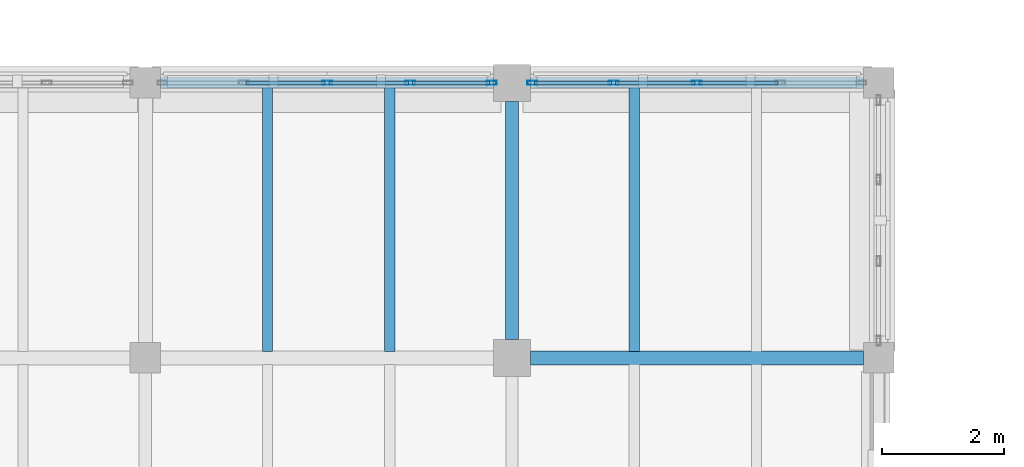
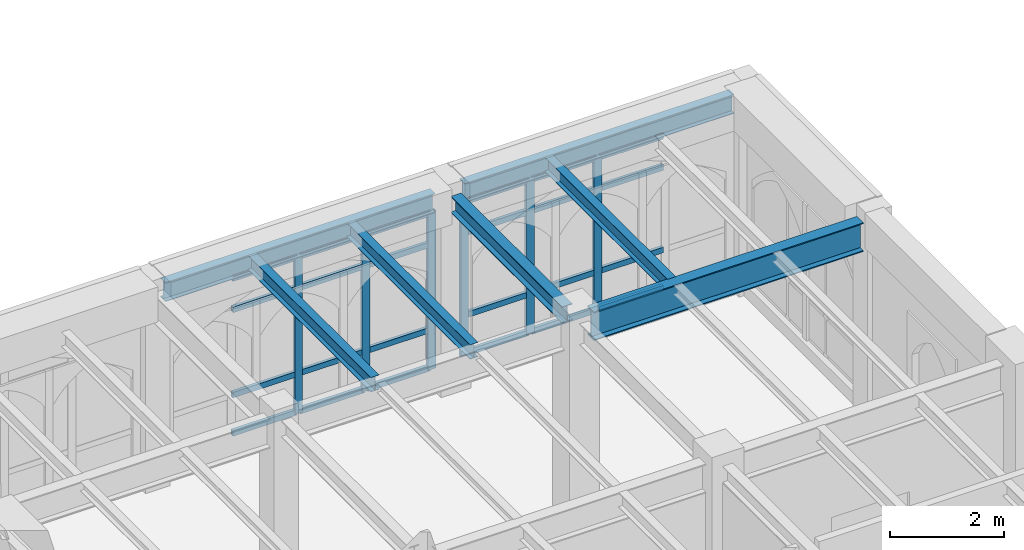
# One storey, part 34 of 143: 30 members, 7 beams, 2 elements without a shape of their own.
"""IFC4 building model written with IfcOpenShell, lengths in metres."""

from ifc_helpers import new_model, si_unit, direction, frame, origin, origin_2d, place, context, subcontext, project, spatial, hollow_rectangle, i_section, extrude, material, layer, layer_set, material_profile, profile_set, type_object, element, aggregate, save


model = new_model("IFC4")

# Units and contexts
model_context = context("Model", 3, precision=1e-05, world=origin(), true_north=direction((0.0, 1.0)))
body_context = subcontext(model_context, "Body", "Model", "MODEL_VIEW")
ifc_project = project(units=[si_unit("LENGTHUNIT", "METRE"), si_unit("AREAUNIT", "SQUARE_METRE"), si_unit("VOLUMEUNIT", "CUBIC_METRE"), si_unit("PLANEANGLEUNIT", "RADIAN"), si_unit("MASSUNIT", "GRAM", prefix="KILO")], contexts=[model_context])

# Site, building, storey
site_placement = place(None, origin())
site = spatial("IfcSite", under=ifc_project, at=site_placement, CompositionType="ELEMENT")
building_placement = place(site_placement, origin())
building = spatial("IfcBuilding", under=site, at=building_placement, Name="Cumevento Cable Car Station", CompositionType="ELEMENT")
storey_placement = place(building_placement, frame((0.0, 0.0, 9.0)))
storey = spatial("IfcBuildingStorey", under=building, at=storey_placement, Name="L03", CompositionType="ELEMENT", Elevation=9.0)

# Curtain wall, members
ifc_material_1 = material(Name="Anodised Bronze Aluminium AW-6063-T6", Category="aluminium")
ifc_layer_1 = layer(ifc_material_1, 0.196044921875)
ifc_layer_set_1 = layer_set([ifc_layer_1], Name="Anodised Bronze Aluminium AW-6063-T6")
curtain_wall_type_1 = type_object("IfcCurtainWallType", Name="Lancet Curtain Wall CW-07 1290", PredefinedType="NOTDEFINED", material=ifc_layer_set_1)
curtain_wall_1_placement = place(storey_placement, origin())
curtain_wall_1 = element("IfcCurtainWall", 1, at=curtain_wall_1_placement, inside=storey, type_object=curtain_wall_type_1, Name="Lancet Curtain Wall CW-07 L03 #118", PredefinedType="NOTDEFINED")
ifc_material_2 = material(Name="Anodised Bronze Aluminium AW-6063-T6", Category="aluminium")
ifc_material_profile_1 = material_profile(ifc_material_2, hollow_rectangle(XDim=0.06494140625, YDim=0.159912109375, WallThickness=0.00390625, at=origin_2d()), Name="ALUM65x160x4")
ifc_profile_set_1 = profile_set([ifc_material_profile_1], Name="Anodised Bronze Aluminium AW-6063-T6")
member_type_1 = type_object("IfcMemberType", Name="Curtain Mullion CWM-01 ALUM65x160x4", PredefinedType="MULLION", material=ifc_profile_set_1)
member_1_placement = place(storey_placement, frame((60.97509765625, 66.0, 0.4599609375), z_axis=(0.0, 0.0, 1.0), x_axis=(0.0, 1.0, 0.0)))
member_1 = element("IfcMember", 2, at=member_1_placement, type_object=member_type_1, Name="CW-07 mullion 3", PredefinedType="MULLION", context=body_context, shape_type="SweptSolid", body=[
    extrude(hollow_rectangle(XDim=0.06494140625, YDim=0.159912109375, WallThickness=0.00390625, at=origin_2d()), origin(), (0.0, 0.0, 1.0), 3.373046875),
])
member_2_placement = place(storey_placement, frame((62.33740234375, 66.0, 0.4599609375), z_axis=(0.0, 0.0, 1.0), x_axis=(0.0, 1.0, 0.0)))
member_2 = element("IfcMember", 3, at=member_2_placement, type_object=member_type_1, Name="CW-07 mullion 4", PredefinedType="MULLION", context=body_context, shape_type="SweptSolid", body=[
    extrude(hollow_rectangle(XDim=0.06494140625, YDim=0.159912109375, WallThickness=0.00390625, at=origin_2d()), origin(), (0.0, 0.0, 1.0), 3.373046875),
])
member_3_placement = place(storey_placement, frame((63.66748046875, 66.0, 0.4599609375), z_axis=(0.0, 0.0, 1.0), x_axis=(0.0, 1.0, 0.0)))
member_3 = element("IfcMember", 4, at=member_3_placement, type_object=member_type_1, Name="CW-07 mullion 5", PredefinedType="MULLION", context=body_context, shape_type="SweptSolid", body=[
    extrude(hollow_rectangle(XDim=0.06494140625, YDim=0.159912109375, WallThickness=0.00390625, at=origin_2d()), origin(), (0.0, 0.0, 1.0), 3.373046875),
])

ifc_material_3 = material(Name="Anodised Bronze Aluminium AW-6063-T6", Category="aluminium")
ifc_layer_2 = layer(ifc_material_3, 0.201904296875)
ifc_layer_set_2 = layer_set([ifc_layer_2], Name="Anodised Bronze Aluminium AW-6063-T6")
curtain_wall_type_2 = type_object("IfcCurtainWallType", Name="Lancet Curtain Wall CW-08 1330", PredefinedType="NOTDEFINED", material=ifc_layer_set_2)
curtain_wall_2_placement = place(storey_placement, origin())
curtain_wall_2 = element("IfcCurtainWall", 5, at=curtain_wall_2_placement, inside=storey, type_object=curtain_wall_type_2, Name="Lancet Curtain Wall CW-08 L03 #119", PredefinedType="NOTDEFINED")
member_4_placement = place(storey_placement, frame((64.33251953125, 66.0, 0.52001953125), z_axis=(0.0, 0.0, 1.0), x_axis=(0.0, 1.0, 0.0)))
member_4 = element("IfcMember", 6, at=member_4_placement, type_object=member_type_1, Name="CW-08 mullion 1", PredefinedType="MULLION", context=body_context, shape_type="SweptSolid", body=[
    extrude(hollow_rectangle(XDim=0.06494140625, YDim=0.159912109375, WallThickness=0.00390625, at=origin_2d()), origin(), (0.0, 0.0, 1.0), 3.31298828125),
])
member_5_placement = place(storey_placement, frame((65.66259765625, 66.0, 0.52001953125), z_axis=(0.0, 0.0, 1.0), x_axis=(0.0, 1.0, 0.0)))
member_5 = element("IfcMember", 7, at=member_5_placement, type_object=member_type_1, Name="CW-08 mullion 2", PredefinedType="MULLION", context=body_context, shape_type="SweptSolid", body=[
    extrude(hollow_rectangle(XDim=0.06494140625, YDim=0.159912109375, WallThickness=0.00390625, at=origin_2d()), origin(), (0.0, 0.0, 1.0), 3.31298828125),
])
member_6_placement = place(storey_placement, frame((67.02490234375, 66.0, 0.52001953125), z_axis=(0.0, 0.0, 1.0), x_axis=(0.0, 1.0, 0.0)))
member_6 = element("IfcMember", 8, at=member_6_placement, type_object=member_type_1, Name="CW-08 mullion 3", PredefinedType="MULLION", context=body_context, shape_type="SweptSolid", body=[
    extrude(hollow_rectangle(XDim=0.06494140625, YDim=0.159912109375, WallThickness=0.00390625, at=origin_2d()), origin(), (0.0, 0.0, 1.0), 3.31298828125),
])

# Member
ifc_material_4 = material(Name="Anodised Bronze Aluminium AW-6063-T6", Category="aluminium")
ifc_material_profile_2 = material_profile(ifc_material_4, hollow_rectangle(XDim=0.06494140625, YDim=0.1201171875, WallThickness=0.00390625, at=origin_2d()), Name="ALUT65x120x4")
ifc_profile_set_2 = profile_set([ifc_material_profile_2], Name="Anodised Bronze Aluminium AW-6063-T6")
member_type_2 = type_object("IfcMemberType", Name="Curtain Transom CWT-01 ALUT65x120x4", PredefinedType="USERDEFINED", material=ifc_profile_set_2)
member_7_placement = place(storey_placement, frame((59.64501953125, 66.0, 0.492431640625), z_axis=(1.0, 0.0, 0.0), x_axis=(0.0, 1.0, 0.0)))
member_7 = element("IfcMember", 9, at=member_7_placement, type_object=member_type_2, Name="CW-07 transom 2.1", ObjectType="TRANSOM", PredefinedType="USERDEFINED", context=body_context, shape_type="SweptSolid", body=[
    extrude(hollow_rectangle(XDim=0.06494140625, YDim=0.1201171875, WallThickness=0.00390625, at=origin_2d()), origin(), (0.0, 0.0, 1.0), 1.29736328125),
])

member_8_placement = place(storey_placement, frame((59.64501953125, 66.0, 1.31005859375), z_axis=(1.0, 0.0, 0.0), x_axis=(0.0, 1.0, 0.0)))
member_8 = element("IfcMember", 10, at=member_8_placement, type_object=member_type_2, Name="CW-07 transom 2.2", ObjectType="TRANSOM", PredefinedType="USERDEFINED", context=body_context, shape_type="SweptSolid", body=[
    extrude(hollow_rectangle(XDim=0.06494140625, YDim=0.1201171875, WallThickness=0.00390625, at=origin_2d()), origin(), (0.0, 0.0, 1.0), 1.29736328125),
])

member_9_placement = place(storey_placement, frame((59.64501953125, 66.0, 3.133056640625), z_axis=(1.0, 0.0, 0.0), x_axis=(0.0, 1.0, 0.0)))
member_9 = element("IfcMember", 11, at=member_9_placement, type_object=member_type_2, Name="CW-07 transom 2.3", ObjectType="TRANSOM", PredefinedType="USERDEFINED", context=body_context, shape_type="SweptSolid", body=[
    extrude(hollow_rectangle(XDim=0.06494140625, YDim=0.1201171875, WallThickness=0.00390625, at=origin_2d()), origin(), (0.0, 0.0, 1.0), 1.29736328125),
])

member_10_placement = place(storey_placement, frame((59.64501953125, 66.0, 3.800537109375), z_axis=(1.0, 0.0, 0.0), x_axis=(0.0, 1.0, 0.0)))
member_10 = element("IfcMember", 12, at=member_10_placement, type_object=member_type_2, Name="CW-07 transom 2.4", ObjectType="TRANSOM", PredefinedType="USERDEFINED", context=body_context, shape_type="SweptSolid", body=[
    extrude(hollow_rectangle(XDim=0.06494140625, YDim=0.1201171875, WallThickness=0.00390625, at=origin_2d()), origin(), (0.0, 0.0, 1.0), 1.29736328125),
])

member_11_placement = place(storey_placement, frame((61.007568359375, 66.0, 0.492431640625), z_axis=(1.0, 0.0, 0.0), x_axis=(0.0, 1.0, 0.0)))
member_11 = element("IfcMember", 13, at=member_11_placement, type_object=member_type_2, Name="CW-07 transom 3.1", ObjectType="TRANSOM", PredefinedType="USERDEFINED", context=body_context, shape_type="SweptSolid", body=[
    extrude(hollow_rectangle(XDim=0.06494140625, YDim=0.1201171875, WallThickness=0.00390625, at=origin_2d()), origin(), (0.0, 0.0, 1.0), 1.29736328125),
])

member_12_placement = place(storey_placement, frame((61.007568359375, 66.0, 1.31005859375), z_axis=(1.0, 0.0, 0.0), x_axis=(0.0, 1.0, 0.0)))
member_12 = element("IfcMember", 14, at=member_12_placement, type_object=member_type_2, Name="CW-07 transom 3.2", ObjectType="TRANSOM", PredefinedType="USERDEFINED", context=body_context, shape_type="SweptSolid", body=[
    extrude(hollow_rectangle(XDim=0.06494140625, YDim=0.1201171875, WallThickness=0.00390625, at=origin_2d()), origin(), (0.0, 0.0, 1.0), 1.29736328125),
])

member_13_placement = place(storey_placement, frame((61.007568359375, 66.0, 3.133056640625), z_axis=(1.0, 0.0, 0.0), x_axis=(0.0, 1.0, 0.0)))
member_13 = element("IfcMember", 15, at=member_13_placement, type_object=member_type_2, Name="CW-07 transom 3.3", ObjectType="TRANSOM", PredefinedType="USERDEFINED", context=body_context, shape_type="SweptSolid", body=[
    extrude(hollow_rectangle(XDim=0.06494140625, YDim=0.1201171875, WallThickness=0.00390625, at=origin_2d()), origin(), (0.0, 0.0, 1.0), 1.29736328125),
])

member_14_placement = place(storey_placement, frame((61.007568359375, 66.0, 3.800537109375), z_axis=(1.0, 0.0, 0.0), x_axis=(0.0, 1.0, 0.0)))
member_14 = element("IfcMember", 16, at=member_14_placement, type_object=member_type_2, Name="CW-07 transom 3.4", ObjectType="TRANSOM", PredefinedType="USERDEFINED", context=body_context, shape_type="SweptSolid", body=[
    extrude(hollow_rectangle(XDim=0.06494140625, YDim=0.1201171875, WallThickness=0.00390625, at=origin_2d()), origin(), (0.0, 0.0, 1.0), 1.29736328125),
])

member_15_placement = place(storey_placement, frame((62.3701171875, 66.0, 0.492431640625), z_axis=(1.0, 0.0, 0.0), x_axis=(0.0, 1.0, 0.0)))
member_15 = element("IfcMember", 17, at=member_15_placement, type_object=member_type_2, Name="CW-07 transom 4.1", ObjectType="TRANSOM", PredefinedType="USERDEFINED", context=body_context, shape_type="SweptSolid", body=[
    extrude(hollow_rectangle(XDim=0.06494140625, YDim=0.1201171875, WallThickness=0.00390625, at=origin_2d()), origin(), (0.0, 0.0, 1.0), 1.264892578125),
])

member_16_placement = place(storey_placement, frame((62.3701171875, 66.0, 1.31005859375), z_axis=(1.0, 0.0, 0.0), x_axis=(0.0, 1.0, 0.0)))
member_16 = element("IfcMember", 18, at=member_16_placement, type_object=member_type_2, Name="CW-07 transom 4.2", ObjectType="TRANSOM", PredefinedType="USERDEFINED", context=body_context, shape_type="SweptSolid", body=[
    extrude(hollow_rectangle(XDim=0.06494140625, YDim=0.1201171875, WallThickness=0.00390625, at=origin_2d()), origin(), (0.0, 0.0, 1.0), 1.264892578125),
])

member_17_placement = place(storey_placement, frame((62.3701171875, 66.0, 3.133056640625), z_axis=(1.0, 0.0, 0.0), x_axis=(0.0, 1.0, 0.0)))
member_17 = element("IfcMember", 19, at=member_17_placement, type_object=member_type_2, Name="CW-07 transom 4.3", ObjectType="TRANSOM", PredefinedType="USERDEFINED", context=body_context, shape_type="SweptSolid", body=[
    extrude(hollow_rectangle(XDim=0.06494140625, YDim=0.1201171875, WallThickness=0.00390625, at=origin_2d()), origin(), (0.0, 0.0, 1.0), 1.264892578125),
])

member_18_placement = place(storey_placement, frame((62.3701171875, 66.0, 3.800537109375), z_axis=(1.0, 0.0, 0.0), x_axis=(0.0, 1.0, 0.0)))
member_18 = element("IfcMember", 20, at=member_18_placement, type_object=member_type_2, Name="CW-07 transom 4.4", ObjectType="TRANSOM", PredefinedType="USERDEFINED", context=body_context, shape_type="SweptSolid", body=[
    extrude(hollow_rectangle(XDim=0.06494140625, YDim=0.1201171875, WallThickness=0.00390625, at=origin_2d()), origin(), (0.0, 0.0, 1.0), 1.264892578125),
])

aggregate(curtain_wall_1, [member_1, member_2, member_3, member_7, member_8, member_9, member_10, member_11, member_12, member_13, member_14, member_15, member_16, member_17, member_18])

member_19_placement = place(storey_placement, frame((64.364990234375, 66.0, 0.552490234375), z_axis=(1.0, 0.0, 0.0), x_axis=(0.0, 1.0, 0.0)))
member_19 = element("IfcMember", 21, at=member_19_placement, type_object=member_type_2, Name="CW-08 transom 1.1", ObjectType="TRANSOM", PredefinedType="USERDEFINED", context=body_context, shape_type="SweptSolid", body=[
    extrude(hollow_rectangle(XDim=0.06494140625, YDim=0.1201171875, WallThickness=0.00390625, at=origin_2d()), origin(), (0.0, 0.0, 1.0), 1.264892578125),
])

member_20_placement = place(storey_placement, frame((64.364990234375, 66.0, 1.3701171875), z_axis=(1.0, 0.0, 0.0), x_axis=(0.0, 1.0, 0.0)))
member_20 = element("IfcMember", 22, at=member_20_placement, type_object=member_type_2, Name="CW-08 transom 1.2", ObjectType="TRANSOM", PredefinedType="USERDEFINED", context=body_context, shape_type="SweptSolid", body=[
    extrude(hollow_rectangle(XDim=0.06494140625, YDim=0.1201171875, WallThickness=0.00390625, at=origin_2d()), origin(), (0.0, 0.0, 1.0), 1.264892578125),
])

member_21_placement = place(storey_placement, frame((64.364990234375, 66.0, 3.133056640625), z_axis=(1.0, 0.0, 0.0), x_axis=(0.0, 1.0, 0.0)))
member_21 = element("IfcMember", 23, at=member_21_placement, type_object=member_type_2, Name="CW-08 transom 1.3", ObjectType="TRANSOM", PredefinedType="USERDEFINED", context=body_context, shape_type="SweptSolid", body=[
    extrude(hollow_rectangle(XDim=0.06494140625, YDim=0.1201171875, WallThickness=0.00390625, at=origin_2d()), origin(), (0.0, 0.0, 1.0), 1.264892578125),
])

member_22_placement = place(storey_placement, frame((64.364990234375, 66.0, 3.800537109375), z_axis=(1.0, 0.0, 0.0), x_axis=(0.0, 1.0, 0.0)))
member_22 = element("IfcMember", 24, at=member_22_placement, type_object=member_type_2, Name="CW-08 transom 1.4", ObjectType="TRANSOM", PredefinedType="USERDEFINED", context=body_context, shape_type="SweptSolid", body=[
    extrude(hollow_rectangle(XDim=0.06494140625, YDim=0.1201171875, WallThickness=0.00390625, at=origin_2d()), origin(), (0.0, 0.0, 1.0), 1.264892578125),
])

member_23_placement = place(storey_placement, frame((65.695068359375, 66.0, 0.552490234375), z_axis=(1.0, 0.0, 0.0), x_axis=(0.0, 1.0, 0.0)))
member_23 = element("IfcMember", 25, at=member_23_placement, type_object=member_type_2, Name="CW-08 transom 2.1", ObjectType="TRANSOM", PredefinedType="USERDEFINED", context=body_context, shape_type="SweptSolid", body=[
    extrude(hollow_rectangle(XDim=0.06494140625, YDim=0.1201171875, WallThickness=0.00390625, at=origin_2d()), origin(), (0.0, 0.0, 1.0), 1.29736328125),
])

member_24_placement = place(storey_placement, frame((65.695068359375, 66.0, 1.3701171875), z_axis=(1.0, 0.0, 0.0), x_axis=(0.0, 1.0, 0.0)))
member_24 = element("IfcMember", 26, at=member_24_placement, type_object=member_type_2, Name="CW-08 transom 2.2", ObjectType="TRANSOM", PredefinedType="USERDEFINED", context=body_context, shape_type="SweptSolid", body=[
    extrude(hollow_rectangle(XDim=0.06494140625, YDim=0.1201171875, WallThickness=0.00390625, at=origin_2d()), origin(), (0.0, 0.0, 1.0), 1.29736328125),
])

member_25_placement = place(storey_placement, frame((65.695068359375, 66.0, 3.133056640625), z_axis=(1.0, 0.0, 0.0), x_axis=(0.0, 1.0, 0.0)))
member_25 = element("IfcMember", 27, at=member_25_placement, type_object=member_type_2, Name="CW-08 transom 2.3", ObjectType="TRANSOM", PredefinedType="USERDEFINED", context=body_context, shape_type="SweptSolid", body=[
    extrude(hollow_rectangle(XDim=0.06494140625, YDim=0.1201171875, WallThickness=0.00390625, at=origin_2d()), origin(), (0.0, 0.0, 1.0), 1.29736328125),
])

member_26_placement = place(storey_placement, frame((65.695068359375, 66.0, 3.800537109375), z_axis=(1.0, 0.0, 0.0), x_axis=(0.0, 1.0, 0.0)))
member_26 = element("IfcMember", 28, at=member_26_placement, type_object=member_type_2, Name="CW-08 transom 2.4", ObjectType="TRANSOM", PredefinedType="USERDEFINED", context=body_context, shape_type="SweptSolid", body=[
    extrude(hollow_rectangle(XDim=0.06494140625, YDim=0.1201171875, WallThickness=0.00390625, at=origin_2d()), origin(), (0.0, 0.0, 1.0), 1.29736328125),
])

member_27_placement = place(storey_placement, frame((67.0576171875, 66.0, 0.552490234375), z_axis=(1.0, 0.0, 0.0), x_axis=(0.0, 1.0, 0.0)))
member_27 = element("IfcMember", 29, at=member_27_placement, type_object=member_type_2, Name="CW-08 transom 3.1", ObjectType="TRANSOM", PredefinedType="USERDEFINED", context=body_context, shape_type="SweptSolid", body=[
    extrude(hollow_rectangle(XDim=0.06494140625, YDim=0.1201171875, WallThickness=0.00390625, at=origin_2d()), origin(), (0.0, 0.0, 1.0), 1.29736328125),
])

member_28_placement = place(storey_placement, frame((67.0576171875, 66.0, 1.3701171875), z_axis=(1.0, 0.0, 0.0), x_axis=(0.0, 1.0, 0.0)))
member_28 = element("IfcMember", 30, at=member_28_placement, type_object=member_type_2, Name="CW-08 transom 3.2", ObjectType="TRANSOM", PredefinedType="USERDEFINED", context=body_context, shape_type="SweptSolid", body=[
    extrude(hollow_rectangle(XDim=0.06494140625, YDim=0.1201171875, WallThickness=0.00390625, at=origin_2d()), origin(), (0.0, 0.0, 1.0), 1.29736328125),
])

member_29_placement = place(storey_placement, frame((67.0576171875, 66.0, 3.133056640625), z_axis=(1.0, 0.0, 0.0), x_axis=(0.0, 1.0, 0.0)))
member_29 = element("IfcMember", 31, at=member_29_placement, type_object=member_type_2, Name="CW-08 transom 3.3", ObjectType="TRANSOM", PredefinedType="USERDEFINED", context=body_context, shape_type="SweptSolid", body=[
    extrude(hollow_rectangle(XDim=0.06494140625, YDim=0.1201171875, WallThickness=0.00390625, at=origin_2d()), origin(), (0.0, 0.0, 1.0), 1.29736328125),
])

member_30_placement = place(storey_placement, frame((67.0576171875, 66.0, 3.800537109375), z_axis=(1.0, 0.0, 0.0), x_axis=(0.0, 1.0, 0.0)))
member_30 = element("IfcMember", 32, at=member_30_placement, type_object=member_type_2, Name="CW-08 transom 3.4", ObjectType="TRANSOM", PredefinedType="USERDEFINED", context=body_context, shape_type="SweptSolid", body=[
    extrude(hollow_rectangle(XDim=0.06494140625, YDim=0.1201171875, WallThickness=0.00390625, at=origin_2d()), origin(), (0.0, 0.0, 1.0), 1.29736328125),
])

aggregate(curtain_wall_2, [member_4, member_5, member_6, member_19, member_20, member_21, member_22, member_23, member_24, member_25, member_26, member_27, member_28, member_29, member_30])

# Beams
ifc_material_5 = material(Name="Steel ASTM A572 Grade 50", Category="steel")
ifc_material_profile_3 = material_profile(ifc_material_5, i_section(OverallWidth=0.22998046875, OverallDepth=0.616943359375, WebThickness=0.01318359375, FlangeThickness=0.022216796875, at=origin_2d()), Name="W610x140.0")
ifc_profile_set_3 = profile_set([ifc_material_profile_3], Name="Steel ASTM A572 Grade 50")
beam_type_1 = type_object("IfcBeamType", Name="Structural Beam BM-01 W610x140.0", PredefinedType="BEAM", material=ifc_profile_set_3)
beam_1_placement = place(storey_placement, frame((64.300048828125, 61.5, 3.931396484375), z_axis=(1.0, 0.0, 0.0), x_axis=(0.0, 1.0, 0.0)))
element("IfcBeam", 33, at=beam_1_placement, inside=storey, type_object=beam_type_1, Name="Beam BM-01 L03 #1110", PredefinedType="BEAM", context=body_context, shape_type="SweptSolid", body=[
    extrude(i_section(OverallWidth=0.22998046875, OverallDepth=0.616943359375, WebThickness=0.01318359375, FlangeThickness=0.022216796875, at=origin_2d()), origin(), (0.0, 0.0, 1.0), 5.449951171875),
])
ifc_material_6 = material(Name="Steel ASTM A572 Grade 50", Category="steel")
ifc_material_profile_4 = material_profile(ifc_material_6, i_section(OverallWidth=0.205078125, OverallDepth=0.35400390625, WebThickness=0.009521484375, FlangeThickness=0.016845703125, at=origin_2d()), Name="W360x79.0")
ifc_profile_set_4 = profile_set([ifc_material_profile_4], Name="Steel ASTM A572 Grade 50")
beam_type_2 = type_object("IfcBeamType", Name="Structural Beam BM-05 W360x79.0", PredefinedType="BEAM", material=ifc_profile_set_4)
beam_2_placement = place(storey_placement, frame((64.0, 61.800048828125, 4.06298828125), z_axis=(0.0, 1.0, 0.0), x_axis=(-1.0, 0.0, 0.0)))
element("IfcBeam", 34, at=beam_2_placement, inside=storey, type_object=beam_type_2, Name="Beam BM-05 L03 #1119", PredefinedType="BEAM", context=body_context, shape_type="SweptSolid", body=[
    extrude(i_section(OverallWidth=0.205078125, OverallDepth=0.35400390625, WebThickness=0.009521484375, FlangeThickness=0.016845703125, at=origin_2d()), origin(), (0.0, 0.0, 1.0), 3.89990234375),
])
ifc_material_7 = material(Name="Steel ASTM A572 Grade 50", Category="steel")
ifc_material_profile_5 = material_profile(ifc_material_7, i_section(OverallWidth=0.1650390625, OverallDepth=0.31005859375, WebThickness=0.005859375, FlangeThickness=0.009765625, at=origin_2d()), Name="W310x38.7")
ifc_profile_set_5 = profile_set([ifc_material_profile_5], Name="Steel ASTM A572 Grade 50")
beam_type_3 = type_object("IfcBeamType", Name="Structural Joist JS-03 W310x38.7", PredefinedType="JOIST", material=ifc_profile_set_5)
for number, where, z_axis, x_axis, name in (
    (35, (60.0, 61.60302734375, 4.0849609375), (0.0, 1.0, 0.0), (-1.0, 0.0, 0.0), "Composite Floor Joist JS-03 L03 #1289"),
    (36, (62.0, 61.60302734375, 4.0849609375), (0.0, 1.0, 0.0), (-1.0, 0.0, 0.0), "Composite Floor Joist JS-03 L03 #1291"),
    (37, (66.0, 61.60302734375, 4.0849609375), (0.0, 1.0, 0.0), (-1.0, 0.0, 0.0), "Composite Floor Joist JS-03 L03 #1293"),
):
    element("IfcBeam", number, at=place(storey_placement, frame(where, z_axis=z_axis, x_axis=x_axis)), inside=storey, type_object=beam_type_3, Name=name, PredefinedType="JOIST", context=body_context, shape_type="SweptSolid", body=[
        extrude(i_section(OverallWidth=0.1650390625, OverallDepth=0.31005859375, WebThickness=0.005859375, FlangeThickness=0.009765625, at=origin_2d()), origin(), (0.0, 0.0, 1.0), 4.320068359375),
    ])
ifc_material_8 = material(Name="Steel ASTM A572 Grade 50", Category="steel")
ifc_material_profile_6 = material_profile(ifc_material_8, i_section(OverallWidth=0.177978515625, OverallDepth=0.406982421875, WebThickness=0.0078125, FlangeThickness=0.0126953125, at=origin_2d()), Name="W410x60.0")
ifc_profile_set_6 = profile_set([ifc_material_profile_6], Name="Steel ASTM A572 Grade 50")
beam_type_4 = type_object("IfcBeamType", Name="Structural Spandrel SP-01 W410x60.0", PredefinedType="SPANDREL", material=ifc_profile_set_6)
for number, where, z_axis, x_axis, name in (
    (38, (58.25, 66.0, 4.03662109375), (1.0, 0.0, 0.0), (0.0, 1.0, 0.0), "Beam SP-01 L03 #1112"),
    (39, (64.300048828125, 66.0, 4.03662109375), (1.0, 0.0, 0.0), (0.0, 1.0, 0.0), "Beam SP-01 L03 #1113"),
):
    element("IfcBeam", number, at=place(storey_placement, frame(where, z_axis=z_axis, x_axis=x_axis)), inside=storey, type_object=beam_type_4, Name=name, PredefinedType="SPANDREL", context=body_context, shape_type="SweptSolid", body=[
        extrude(i_section(OverallWidth=0.177978515625, OverallDepth=0.406982421875, WebThickness=0.0078125, FlangeThickness=0.0126953125, at=origin_2d()), origin(), (0.0, 0.0, 1.0), 5.449951171875),
    ])

save(model, "model.ifc")
